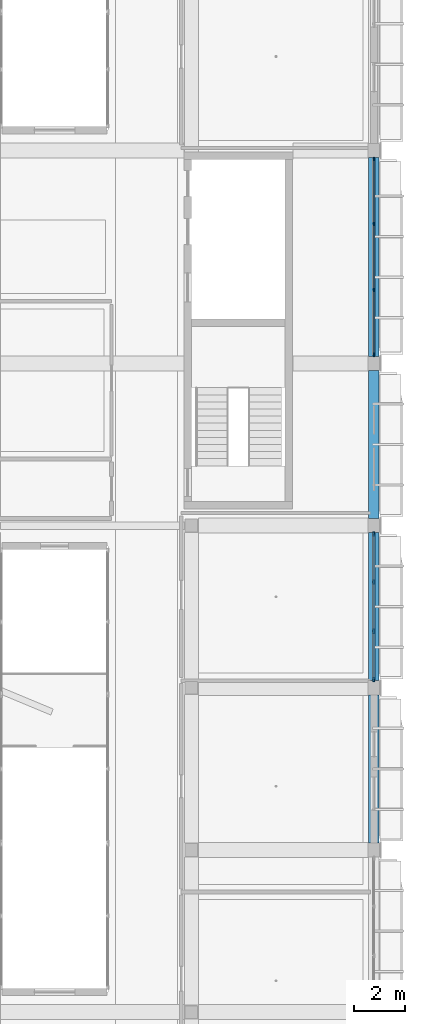
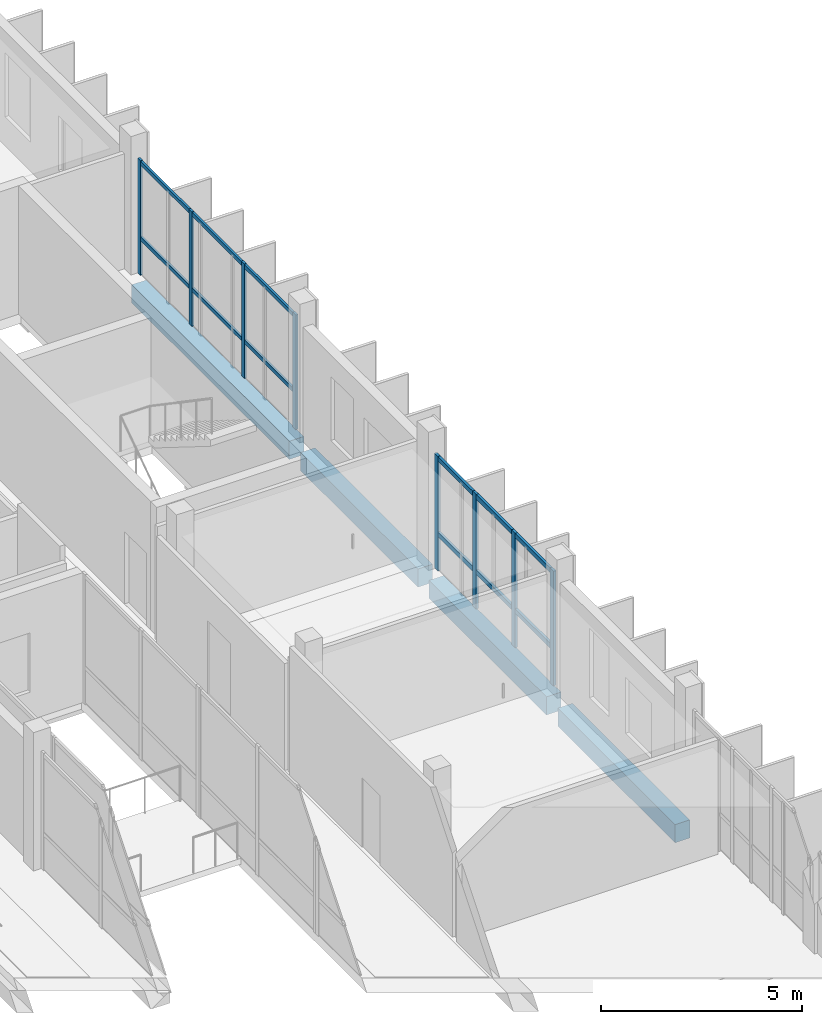
# One storey, part 24 of 85: 12 members, 4 beams, 2 elements without a shape of their own.
"""IFC4 building model written with IfcOpenShell, lengths in metres."""

from ifc_helpers import new_model, si_unit, derived_unit, direction, frame, origin, origin_2d, place, context, subcontext, project, spatial, rectangle, extrude, material, material_profile, profile_set, type_object, element, aggregate, save


model = new_model("IFC4")

# Units and contexts
model_context = context("Model", 3, precision=1e-05, world=origin(), true_north=direction((0.0, 1.0)))
body_context = subcontext(model_context, "Body", "Model", "MODEL_VIEW")
ifc_project = project(units=[si_unit("LENGTHUNIT", "METRE"), si_unit("AREAUNIT", "SQUARE_METRE"), si_unit("VOLUMEUNIT", "CUBIC_METRE"), si_unit("PLANEANGLEUNIT", "RADIAN"), si_unit("MASSUNIT", "GRAM", prefix="KILO"), derived_unit("THERMALTRANSMITTANCEUNIT", [(si_unit("POWERUNIT", "WATT"), 1), (si_unit("LENGTHUNIT", "METRE"), -2), (si_unit("THERMODYNAMICTEMPERATUREUNIT", "KELVIN"), -1)])], contexts=[model_context])

# Site, building, storey
site_placement = place(None, origin())
site = spatial("IfcSite", under=ifc_project, at=site_placement, CompositionType="ELEMENT")
building_placement = place(site_placement, origin())
building = spatial("IfcBuilding", under=site, at=building_placement, Name="Braskholm Square Health Centre", CompositionType="ELEMENT")
storey_placement = place(building_placement, frame((0.0, 0.0, 9.300048828125)))
storey = spatial("IfcBuildingStorey", under=building, at=storey_placement, Name="L03", CompositionType="ELEMENT", Elevation=9.300048828125)

# Curtain wall, members
ifc_material_1 = material(Name="Low-E triple insulating glass (VLT 0.64)", Category="glass")
curtain_wall_type = type_object("IfcCurtainWallType", Name="UnitisedCurtainWall6200x3650", PredefinedType="NOTDEFINED", material=ifc_material_1)
curtain_wall_1_placement = place(storey_placement, origin())
curtain_wall_1 = element("IfcCurtainWall", 1, at=curtain_wall_1_placement, inside=storey, type_object=curtain_wall_type, Name="East Outer unitised curtain wall CW-L03-0064", PredefinedType="NOTDEFINED")
ifc_material_2 = material(Name="Architectural bronze anodised aluminium", Category="aluminium")
ifc_material_profile_1 = material_profile(ifc_material_2, rectangle(XDim=0.06494140625, YDim=0.14990234375, at=origin_2d()), Name="ALU-65X150")
ifc_profile_set_1 = profile_set([ifc_material_profile_1], Name="Architectural bronze anodised aluminium")
member_type_1 = type_object("IfcMemberType", Name="CurtainWallMullion65x150", PredefinedType="MULLION", material=ifc_profile_set_1)
member_1_placement = place(storey_placement, frame((163.800048828125, 55.73681640625, 0.0), z_axis=(0.0, 0.0, 1.0), x_axis=(1.0, 0.0, 0.0)))
member_1 = element("IfcMember", 2, at=member_1_placement, type_object=member_type_1, Name="CW-L03-0064 vertical mullion 1", PredefinedType="MULLION", context=body_context, shape_type="SweptSolid", body=[
    extrude(rectangle(XDim=0.06494140625, YDim=0.14990234375, at=origin_2d()), origin(), (0.0, 0.0, 1.0), 3.47998046875),
])
member_2_placement = place(storey_placement, frame((163.800048828125, 58.296630859375, 0.0), z_axis=(0.0, 0.0, 1.0), x_axis=(1.0, 0.0, 0.0)))
member_2 = element("IfcMember", 3, at=member_2_placement, type_object=member_type_1, Name="CW-L03-0064 vertical mullion 2", PredefinedType="MULLION", context=body_context, shape_type="SweptSolid", body=[
    extrude(rectangle(XDim=0.06494140625, YDim=0.14990234375, at=origin_2d()), origin(), (0.0, 0.0, 1.0), 3.47998046875),
])
member_3_placement = place(storey_placement, frame((163.800048828125, 60.9033203125, 0.0), z_axis=(0.0, 0.0, 1.0), x_axis=(1.0, 0.0, 0.0)))
member_3 = element("IfcMember", 4, at=member_3_placement, type_object=member_type_1, Name="CW-L03-0064 vertical mullion 3", PredefinedType="MULLION", context=body_context, shape_type="SweptSolid", body=[
    extrude(rectangle(XDim=0.06494140625, YDim=0.14990234375, at=origin_2d()), origin(), (0.0, 0.0, 1.0), 3.47998046875),
])
member_4_placement = place(storey_placement, frame((163.800048828125, 63.463134765625, 0.0), z_axis=(0.0, 0.0, 1.0), x_axis=(1.0, 0.0, 0.0)))
member_4 = element("IfcMember", 5, at=member_4_placement, type_object=member_type_1, Name="CW-L03-0064 vertical mullion 4", PredefinedType="MULLION", context=body_context, shape_type="SweptSolid", body=[
    extrude(rectangle(XDim=0.06494140625, YDim=0.14990234375, at=origin_2d()), origin(), (0.0, 0.0, 1.0), 3.47998046875),
])

curtain_wall_2_placement = place(storey_placement, origin())
curtain_wall_2 = element("IfcCurtainWall", 6, at=curtain_wall_2_placement, inside=storey, type_object=curtain_wall_type, Name="East Outer unitised curtain wall CW-L03-0063", PredefinedType="NOTDEFINED")
ifc_material_profile_2 = material_profile(ifc_material_2, rectangle(XDim=0.074951171875, YDim=0.179931640625, at=origin_2d()), Name="ALU-75X180")
ifc_profile_set_2 = profile_set([ifc_material_profile_2], Name="Architectural bronze anodised aluminium")
member_type_2 = type_object("IfcMemberType", Name="CurtainWallMullion75x180", PredefinedType="MULLION", material=ifc_profile_set_2)
member_5_placement = place(storey_placement, frame((163.800048828125, 42.9248046875, 0.0), z_axis=(0.0, 0.0, 1.0), x_axis=(1.0, 0.0, 0.0)))
member_5 = element("IfcMember", 7, at=member_5_placement, type_object=member_type_2, Name="CW-L03-0063 vertical mullion 1", PredefinedType="MULLION", context=body_context, shape_type="SweptSolid", body=[
    extrude(rectangle(XDim=0.074951171875, YDim=0.179931640625, at=origin_2d()), origin(), (0.0, 0.0, 1.0), 3.47998046875),
])
member_6_placement = place(storey_placement, frame((163.800048828125, 44.830078125, 0.0), z_axis=(0.0, 0.0, 1.0), x_axis=(1.0, 0.0, 0.0)))
member_6 = element("IfcMember", 8, at=member_6_placement, type_object=member_type_2, Name="CW-L03-0063 vertical mullion 2", PredefinedType="MULLION", context=body_context, shape_type="SweptSolid", body=[
    extrude(rectangle(XDim=0.074951171875, YDim=0.179931640625, at=origin_2d()), origin(), (0.0, 0.0, 1.0), 3.47998046875),
])
member_7_placement = place(storey_placement, frame((163.800048828125, 46.77001953125, 0.0), z_axis=(0.0, 0.0, 1.0), x_axis=(1.0, 0.0, 0.0)))
member_7 = element("IfcMember", 9, at=member_7_placement, type_object=member_type_2, Name="CW-L03-0063 vertical mullion 3", PredefinedType="MULLION", context=body_context, shape_type="SweptSolid", body=[
    extrude(rectangle(XDim=0.074951171875, YDim=0.179931640625, at=origin_2d()), origin(), (0.0, 0.0, 1.0), 3.47998046875),
])
member_8_placement = place(storey_placement, frame((163.800048828125, 48.675048828125, 0.0), z_axis=(0.0, 0.0, 1.0), x_axis=(1.0, 0.0, 0.0)))
member_8 = element("IfcMember", 10, at=member_8_placement, type_object=member_type_2, Name="CW-L03-0063 vertical mullion 4", PredefinedType="MULLION", context=body_context, shape_type="SweptSolid", body=[
    extrude(rectangle(XDim=0.074951171875, YDim=0.179931640625, at=origin_2d()), origin(), (0.0, 0.0, 1.0), 3.47998046875),
])

# Member
ifc_material_profile_3 = material_profile(ifc_material_2, rectangle(XDim=0.06494140625, YDim=0.1201171875, at=origin_2d()), Name="ALU-65X120")
ifc_profile_set_3 = profile_set([ifc_material_profile_3], Name="Architectural bronze anodised aluminium")
member_type_3 = type_object("IfcMemberType", Name="CurtainWallTransom65x120", PredefinedType="USERDEFINED", material=ifc_profile_set_3)
member_9_placement = place(storey_placement, frame((163.800048828125, 55.735107421875, 1.119873046875), z_axis=(0.0, 1.0, 0.0), x_axis=(-1.0, 0.0, 0.0)))
member_9 = element("IfcMember", 11, at=member_9_placement, type_object=member_type_3, Name="CW-L03-0064 horizontal transom 1", ObjectType="TRANSOM", PredefinedType="USERDEFINED", context=body_context, shape_type="SweptSolid", body=[
    extrude(rectangle(XDim=0.06494140625, YDim=0.1201171875, at=origin_2d()), origin(), (0.0, 0.0, 1.0), 7.72998046875),
])

member_10_placement = place(storey_placement, frame((163.800048828125, 55.735107421875, 3.409912109375), z_axis=(0.0, 1.0, 0.0), x_axis=(-1.0, 0.0, 0.0)))
member_10 = element("IfcMember", 12, at=member_10_placement, type_object=member_type_3, Name="CW-L03-0064 horizontal transom 2", ObjectType="TRANSOM", PredefinedType="USERDEFINED", context=body_context, shape_type="SweptSolid", body=[
    extrude(rectangle(XDim=0.06494140625, YDim=0.1201171875, at=origin_2d()), origin(), (0.0, 0.0, 1.0), 7.72998046875),
])

aggregate(curtain_wall_1, [member_1, member_2, member_3, member_4, member_9, member_10])

ifc_material_profile_4 = material_profile(ifc_material_2, rectangle(XDim=0.074951171875, YDim=0.139892578125, at=origin_2d()), Name="ALU-75X140")
ifc_profile_set_4 = profile_set([ifc_material_profile_4], Name="Architectural bronze anodised aluminium")
member_type_4 = type_object("IfcMemberType", Name="CurtainWallTransom75x140", PredefinedType="USERDEFINED", material=ifc_profile_set_4)
member_11_placement = place(storey_placement, frame((163.800048828125, 42.93505859375, 1.119873046875), z_axis=(0.0, 1.0, 0.0), x_axis=(-1.0, 0.0, 0.0)))
member_11 = element("IfcMember", 13, at=member_11_placement, type_object=member_type_4, Name="CW-L03-0063 horizontal transom 1", ObjectType="TRANSOM", PredefinedType="USERDEFINED", context=body_context, shape_type="SweptSolid", body=[
    extrude(rectangle(XDim=0.074951171875, YDim=0.139892578125, at=origin_2d()), origin(), (0.0, 0.0, 1.0), 5.72998046875),
])

member_12_placement = place(storey_placement, frame((163.800048828125, 42.93505859375, 3.409912109375), z_axis=(0.0, 1.0, 0.0), x_axis=(-1.0, 0.0, 0.0)))
member_12 = element("IfcMember", 14, at=member_12_placement, type_object=member_type_4, Name="CW-L03-0063 horizontal transom 2", ObjectType="TRANSOM", PredefinedType="USERDEFINED", context=body_context, shape_type="SweptSolid", body=[
    extrude(rectangle(XDim=0.074951171875, YDim=0.139892578125, at=origin_2d()), origin(), (0.0, 0.0, 1.0), 5.72998046875),
])

aggregate(curtain_wall_2, [member_5, member_6, member_7, member_8, member_11, member_12])

# Beams
ifc_material_3 = material(Name="Precast concrete C40/50 architectural white", Category="concrete")
ifc_material_profile_5 = material_profile(ifc_material_3, rectangle(XDim=0.419921875, YDim=0.550048828125, at=origin_2d()), Name="RCB-420X550")
ifc_profile_set_5 = profile_set([ifc_material_profile_5], Name="Precast concrete C40/50 architectural white")
beam_type = type_object("IfcBeamType", Name="SpandrelPrecastLedge420x550", PredefinedType="SPANDREL", material=ifc_profile_set_5)
for number, where, z_axis, x_axis, name in (
    (15, (163.800048828125, 36.47998046875, -0.574951171875), (0.0, 1.0, 0.0), (-1.0, 0.0, 0.0), "Beam 22/F-G L03"),
    (16, (163.800048828125, 42.8798828125, -0.574951171875), (0.0, 1.0, 0.0), (-1.0, 0.0, 0.0), "Beam 22/G-H L03"),
    (17, (163.800048828125, 49.280029296875, -0.574951171875), (0.0, 1.0, 0.0), (-1.0, 0.0, 0.0), "Beam 22/H-J L03"),
):
    element("IfcBeam", number, at=place(storey_placement, frame(where, z_axis=z_axis, x_axis=x_axis)), inside=storey, type_object=beam_type, Name=name, PredefinedType="SPANDREL", context=body_context, shape_type="SweptSolid", body=[
        extrude(rectangle(XDim=0.419921875, YDim=0.550048828125, at=origin_2d()), origin(), (0.0, 0.0, 1.0), 5.840087890625),
    ])
beam_placement = place(storey_placement, frame((163.800048828125, 55.679931640625, -0.574951171875), z_axis=(0.0, 1.0, 0.0), x_axis=(-1.0, 0.0, 0.0)))
element("IfcBeam", 18, at=beam_placement, inside=storey, type_object=beam_type, Name="Beam 22/J-K L03", PredefinedType="SPANDREL", context=body_context, shape_type="SweptSolid", body=[
    extrude(rectangle(XDim=0.419921875, YDim=0.550048828125, at=origin_2d()), origin(), (0.0, 0.0, 1.0), 7.840087890625),
])

save(model, "model.ifc")
